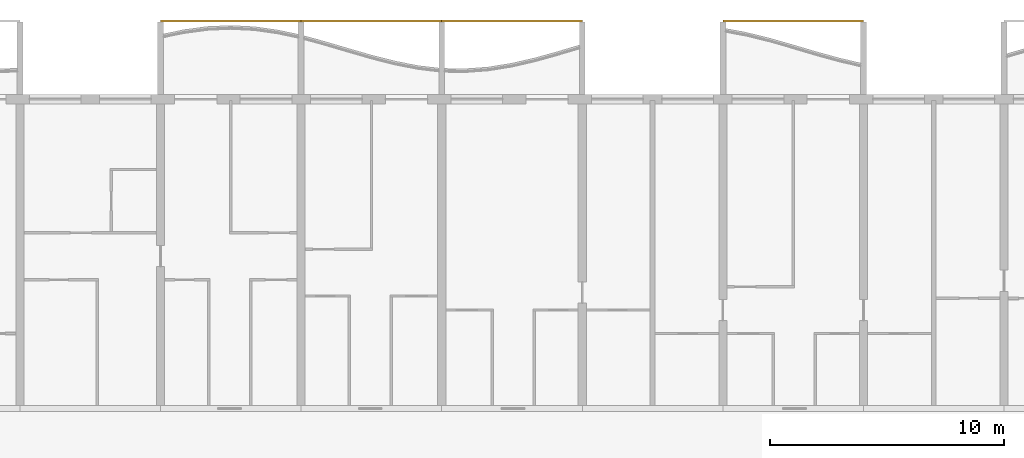
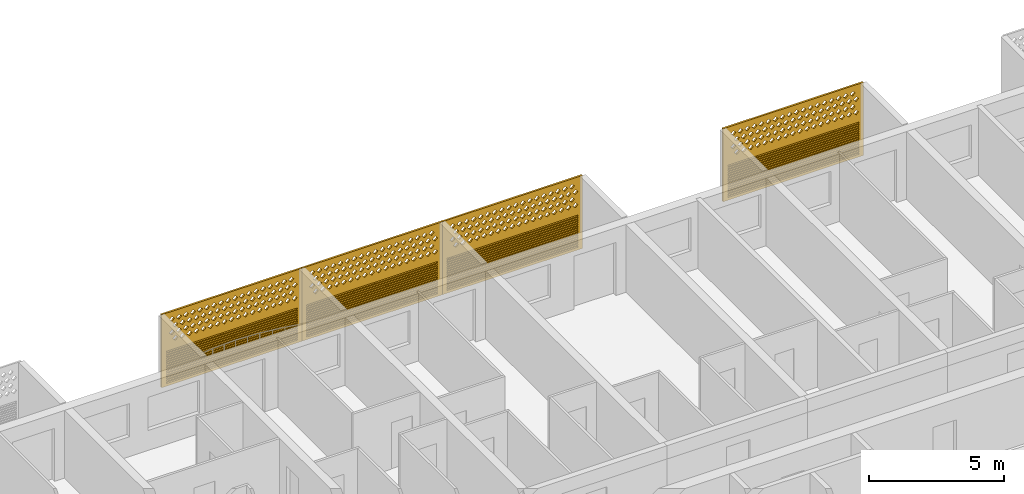
# One storey, part 23 of 26: 4 coverings.
"""IFC4 building model written with IfcOpenShell, lengths in metres."""

from ifc_helpers import new_model, si_unit, direction, frame, origin, place, context, subcontext, project, spatial, polyline, outline, extrude, source, transform, mapped, material, material_profile, profile_set, type_object, element, save


model = new_model("IFC4")

# Units and contexts
model_context = context("Model", 3, precision=1e-05, world=origin(), true_north=direction((0.0, 1.0)))
body_context = subcontext(model_context, "Body", "Model", "MODEL_VIEW")
ifc_project = project(units=[si_unit("LENGTHUNIT", "METRE"), si_unit("AREAUNIT", "SQUARE_METRE"), si_unit("VOLUMEUNIT", "CUBIC_METRE"), si_unit("PLANEANGLEUNIT", "RADIAN"), si_unit("MASSUNIT", "GRAM", prefix="KILO")], contexts=[model_context])

# Site, building, storey
site_placement = place(None, origin())
site = spatial("IfcSite", under=ifc_project, at=site_placement, CompositionType="ELEMENT")
building_placement = place(site_placement, origin())
building = spatial("IfcBuilding", under=site, at=building_placement, Name="Poui Terraces", CompositionType="ELEMENT")
storey_placement = place(building_placement, frame((0.0, 0.0, 79.5)))
storey = spatial("IfcBuildingStorey", under=building, at=storey_placement, Name="L21", CompositionType="ELEMENT", Elevation=79.5)

# Coverings
ifc_material = material(Name="Terracotta screen", Category="masonry")
ifc_material_profile = material_profile(ifc_material, outline(polyline([(-3.0, -1.64990234375), (3.0, -1.64990234375), (3.0, 1.64990234375), (-3.0, 1.64990234375), (-3.0, -1.64990234375)]), holes=[polyline([(-2.800048828125, 0.39990234375), (-2.68994140625, 0.2900390625), (-2.580078125, 0.39990234375), (-2.68994140625, 0.510009765625), (-2.800048828125, 0.39990234375)]), polyline([(-2.5, 0.39990234375), (-2.389892578125, 0.2900390625), (-2.280029296875, 0.39990234375), (-2.389892578125, 0.510009765625), (-2.5, 0.39990234375)]), polyline([(-2.199951171875, 0.39990234375), (-2.090087890625, 0.2900390625), (-1.97998046875, 0.39990234375), (-2.090087890625, 0.510009765625), (-2.199951171875, 0.39990234375)]), polyline([(-1.89990234375, 0.39990234375), (-1.7900390625, 0.2900390625), (-1.679931640625, 0.39990234375), (-1.7900390625, 0.510009765625), (-1.89990234375, 0.39990234375)]), polyline([(-1.60009765625, 0.39990234375), (-1.489990234375, 0.2900390625), (-1.3798828125, 0.39990234375), (-1.489990234375, 0.510009765625), (-1.60009765625, 0.39990234375)]), polyline([(-1.300048828125, 0.39990234375), (-1.18994140625, 0.2900390625), (-1.080078125, 0.39990234375), (-1.18994140625, 0.510009765625), (-1.300048828125, 0.39990234375)]), polyline([(-1.0, 0.39990234375), (-0.889892578125, 0.2900390625), (-0.780029296875, 0.39990234375), (-0.889892578125, 0.510009765625), (-1.0, 0.39990234375)]), polyline([(-0.699951171875, 0.39990234375), (-0.590087890625, 0.2900390625), (-0.47998046875, 0.39990234375), (-0.590087890625, 0.510009765625), (-0.699951171875, 0.39990234375)]), polyline([(-0.39990234375, 0.39990234375), (-0.2900390625, 0.2900390625), (-0.179931640625, 0.39990234375), (-0.2900390625, 0.510009765625), (-0.39990234375, 0.39990234375)]), polyline([(-0.10009765625, 0.39990234375), (0.010009765625, 0.2900390625), (0.1201171875, 0.39990234375), (0.010009765625, 0.510009765625), (-0.10009765625, 0.39990234375)]), polyline([(0.199951171875, 0.39990234375), (0.31005859375, 0.2900390625), (0.419921875, 0.39990234375), (0.31005859375, 0.510009765625), (0.199951171875, 0.39990234375)]), polyline([(0.5, 0.39990234375), (0.610107421875, 0.2900390625), (0.719970703125, 0.39990234375), (0.610107421875, 0.510009765625), (0.5, 0.39990234375)]), polyline([(0.800048828125, 0.39990234375), (0.909912109375, 0.2900390625), (1.02001953125, 0.39990234375), (0.909912109375, 0.510009765625), (0.800048828125, 0.39990234375)]), polyline([(1.10009765625, 0.39990234375), (1.2099609375, 0.2900390625), (1.320068359375, 0.39990234375), (1.2099609375, 0.510009765625), (1.10009765625, 0.39990234375)]), polyline([(1.39990234375, 0.39990234375), (1.510009765625, 0.2900390625), (1.6201171875, 0.39990234375), (1.510009765625, 0.510009765625), (1.39990234375, 0.39990234375)]), polyline([(1.699951171875, 0.39990234375), (1.81005859375, 0.2900390625), (1.919921875, 0.39990234375), (1.81005859375, 0.510009765625), (1.699951171875, 0.39990234375)]), polyline([(2.0, 0.39990234375), (2.110107421875, 0.2900390625), (2.219970703125, 0.39990234375), (2.110107421875, 0.510009765625), (2.0, 0.39990234375)]), polyline([(2.300048828125, 0.39990234375), (2.409912109375, 0.2900390625), (2.52001953125, 0.39990234375), (2.409912109375, 0.510009765625), (2.300048828125, 0.39990234375)]), polyline([(-2.64990234375, 0.699951171875), (-2.5400390625, 0.590087890625), (-2.429931640625, 0.699951171875), (-2.5400390625, 0.81005859375), (-2.64990234375, 0.699951171875)]), polyline([(-2.35009765625, 0.699951171875), (-2.239990234375, 0.590087890625), (-2.1298828125, 0.699951171875), (-2.239990234375, 0.81005859375), (-2.35009765625, 0.699951171875)]), polyline([(-2.050048828125, 0.699951171875), (-1.93994140625, 0.590087890625), (-1.830078125, 0.699951171875), (-1.93994140625, 0.81005859375), (-2.050048828125, 0.699951171875)]), polyline([(-1.75, 0.699951171875), (-1.639892578125, 0.590087890625), (-1.530029296875, 0.699951171875), (-1.639892578125, 0.81005859375), (-1.75, 0.699951171875)]), polyline([(-1.449951171875, 0.699951171875), (-1.340087890625, 0.590087890625), (-1.22998046875, 0.699951171875), (-1.340087890625, 0.81005859375), (-1.449951171875, 0.699951171875)]), polyline([(-1.14990234375, 0.699951171875), (-1.0400390625, 0.590087890625), (-0.929931640625, 0.699951171875), (-1.0400390625, 0.81005859375), (-1.14990234375, 0.699951171875)]), polyline([(-0.85009765625, 0.699951171875), (-0.739990234375, 0.590087890625), (-0.6298828125, 0.699951171875), (-0.739990234375, 0.81005859375), (-0.85009765625, 0.699951171875)]), polyline([(-0.550048828125, 0.699951171875), (-0.43994140625, 0.590087890625), (-0.330078125, 0.699951171875), (-0.43994140625, 0.81005859375), (-0.550048828125, 0.699951171875)]), polyline([(-0.25, 0.699951171875), (-0.139892578125, 0.590087890625), (-0.030029296875, 0.699951171875), (-0.139892578125, 0.81005859375), (-0.25, 0.699951171875)]), polyline([(0.050048828125, 0.699951171875), (0.159912109375, 0.590087890625), (0.27001953125, 0.699951171875), (0.159912109375, 0.81005859375), (0.050048828125, 0.699951171875)]), polyline([(0.35009765625, 0.699951171875), (0.4599609375, 0.590087890625), (0.570068359375, 0.699951171875), (0.4599609375, 0.81005859375), (0.35009765625, 0.699951171875)]), polyline([(0.64990234375, 0.699951171875), (0.760009765625, 0.590087890625), (0.8701171875, 0.699951171875), (0.760009765625, 0.81005859375), (0.64990234375, 0.699951171875)]), polyline([(0.949951171875, 0.699951171875), (1.06005859375, 0.590087890625), (1.169921875, 0.699951171875), (1.06005859375, 0.81005859375), (0.949951171875, 0.699951171875)]), polyline([(1.25, 0.699951171875), (1.360107421875, 0.590087890625), (1.469970703125, 0.699951171875), (1.360107421875, 0.81005859375), (1.25, 0.699951171875)]), polyline([(1.550048828125, 0.699951171875), (1.659912109375, 0.590087890625), (1.77001953125, 0.699951171875), (1.659912109375, 0.81005859375), (1.550048828125, 0.699951171875)]), polyline([(1.85009765625, 0.699951171875), (1.9599609375, 0.590087890625), (2.070068359375, 0.699951171875), (1.9599609375, 0.81005859375), (1.85009765625, 0.699951171875)]), polyline([(2.14990234375, 0.699951171875), (2.260009765625, 0.590087890625), (2.3701171875, 0.699951171875), (2.260009765625, 0.81005859375), (2.14990234375, 0.699951171875)]), polyline([(2.449951171875, 0.699951171875), (2.56005859375, 0.590087890625), (2.669921875, 0.699951171875), (2.56005859375, 0.81005859375), (2.449951171875, 0.699951171875)]), polyline([(-2.800048828125, 1.0), (-2.68994140625, 0.889892578125), (-2.580078125, 1.0), (-2.68994140625, 1.110107421875), (-2.800048828125, 1.0)]), polyline([(-2.5, 1.0), (-2.389892578125, 0.889892578125), (-2.280029296875, 1.0), (-2.389892578125, 1.110107421875), (-2.5, 1.0)]), polyline([(-2.199951171875, 1.0), (-2.090087890625, 0.889892578125), (-1.97998046875, 1.0), (-2.090087890625, 1.110107421875), (-2.199951171875, 1.0)]), polyline([(-1.89990234375, 1.0), (-1.7900390625, 0.889892578125), (-1.679931640625, 1.0), (-1.7900390625, 1.110107421875), (-1.89990234375, 1.0)]), polyline([(-1.60009765625, 1.0), (-1.489990234375, 0.889892578125), (-1.3798828125, 1.0), (-1.489990234375, 1.110107421875), (-1.60009765625, 1.0)]), polyline([(-1.300048828125, 1.0), (-1.18994140625, 0.889892578125), (-1.080078125, 1.0), (-1.18994140625, 1.110107421875), (-1.300048828125, 1.0)]), polyline([(-1.0, 1.0), (-0.889892578125, 0.889892578125), (-0.780029296875, 1.0), (-0.889892578125, 1.110107421875), (-1.0, 1.0)]), polyline([(-0.699951171875, 1.0), (-0.590087890625, 0.889892578125), (-0.47998046875, 1.0), (-0.590087890625, 1.110107421875), (-0.699951171875, 1.0)]), polyline([(-0.39990234375, 1.0), (-0.2900390625, 0.889892578125), (-0.179931640625, 1.0), (-0.2900390625, 1.110107421875), (-0.39990234375, 1.0)]), polyline([(-0.10009765625, 1.0), (0.010009765625, 0.889892578125), (0.1201171875, 1.0), (0.010009765625, 1.110107421875), (-0.10009765625, 1.0)]), polyline([(0.199951171875, 1.0), (0.31005859375, 0.889892578125), (0.419921875, 1.0), (0.31005859375, 1.110107421875), (0.199951171875, 1.0)]), polyline([(0.5, 1.0), (0.610107421875, 0.889892578125), (0.719970703125, 1.0), (0.610107421875, 1.110107421875), (0.5, 1.0)]), polyline([(0.800048828125, 1.0), (0.909912109375, 0.889892578125), (1.02001953125, 1.0), (0.909912109375, 1.110107421875), (0.800048828125, 1.0)]), polyline([(1.10009765625, 1.0), (1.2099609375, 0.889892578125), (1.320068359375, 1.0), (1.2099609375, 1.110107421875), (1.10009765625, 1.0)]), polyline([(1.39990234375, 1.0), (1.510009765625, 0.889892578125), (1.6201171875, 1.0), (1.510009765625, 1.110107421875), (1.39990234375, 1.0)]), polyline([(1.699951171875, 1.0), (1.81005859375, 0.889892578125), (1.919921875, 1.0), (1.81005859375, 1.110107421875), (1.699951171875, 1.0)]), polyline([(2.0, 1.0), (2.110107421875, 0.889892578125), (2.219970703125, 1.0), (2.110107421875, 1.110107421875), (2.0, 1.0)]), polyline([(2.300048828125, 1.0), (2.409912109375, 0.889892578125), (2.52001953125, 1.0), (2.409912109375, 1.110107421875), (2.300048828125, 1.0)]), polyline([(-2.64990234375, 1.300048828125), (-2.5400390625, 1.18994140625), (-2.429931640625, 1.300048828125), (-2.5400390625, 1.409912109375), (-2.64990234375, 1.300048828125)]), polyline([(-2.35009765625, 1.300048828125), (-2.239990234375, 1.18994140625), (-2.1298828125, 1.300048828125), (-2.239990234375, 1.409912109375), (-2.35009765625, 1.300048828125)]), polyline([(-2.050048828125, 1.300048828125), (-1.93994140625, 1.18994140625), (-1.830078125, 1.300048828125), (-1.93994140625, 1.409912109375), (-2.050048828125, 1.300048828125)]), polyline([(-1.75, 1.300048828125), (-1.639892578125, 1.18994140625), (-1.530029296875, 1.300048828125), (-1.639892578125, 1.409912109375), (-1.75, 1.300048828125)]), polyline([(-1.449951171875, 1.300048828125), (-1.340087890625, 1.18994140625), (-1.22998046875, 1.300048828125), (-1.340087890625, 1.409912109375), (-1.449951171875, 1.300048828125)]), polyline([(-1.14990234375, 1.300048828125), (-1.0400390625, 1.18994140625), (-0.929931640625, 1.300048828125), (-1.0400390625, 1.409912109375), (-1.14990234375, 1.300048828125)]), polyline([(-0.85009765625, 1.300048828125), (-0.739990234375, 1.18994140625), (-0.6298828125, 1.300048828125), (-0.739990234375, 1.409912109375), (-0.85009765625, 1.300048828125)]), polyline([(-0.550048828125, 1.300048828125), (-0.43994140625, 1.18994140625), (-0.330078125, 1.300048828125), (-0.43994140625, 1.409912109375), (-0.550048828125, 1.300048828125)]), polyline([(-0.25, 1.300048828125), (-0.139892578125, 1.18994140625), (-0.030029296875, 1.300048828125), (-0.139892578125, 1.409912109375), (-0.25, 1.300048828125)]), polyline([(0.050048828125, 1.300048828125), (0.159912109375, 1.18994140625), (0.27001953125, 1.300048828125), (0.159912109375, 1.409912109375), (0.050048828125, 1.300048828125)]), polyline([(0.35009765625, 1.300048828125), (0.4599609375, 1.18994140625), (0.570068359375, 1.300048828125), (0.4599609375, 1.409912109375), (0.35009765625, 1.300048828125)]), polyline([(0.64990234375, 1.300048828125), (0.760009765625, 1.18994140625), (0.8701171875, 1.300048828125), (0.760009765625, 1.409912109375), (0.64990234375, 1.300048828125)]), polyline([(0.949951171875, 1.300048828125), (1.06005859375, 1.18994140625), (1.169921875, 1.300048828125), (1.06005859375, 1.409912109375), (0.949951171875, 1.300048828125)]), polyline([(1.25, 1.300048828125), (1.360107421875, 1.18994140625), (1.469970703125, 1.300048828125), (1.360107421875, 1.409912109375), (1.25, 1.300048828125)]), polyline([(1.550048828125, 1.300048828125), (1.659912109375, 1.18994140625), (1.77001953125, 1.300048828125), (1.659912109375, 1.409912109375), (1.550048828125, 1.300048828125)]), polyline([(1.85009765625, 1.300048828125), (1.9599609375, 1.18994140625), (2.070068359375, 1.300048828125), (1.9599609375, 1.409912109375), (1.85009765625, 1.300048828125)]), polyline([(2.14990234375, 1.300048828125), (2.260009765625, 1.18994140625), (2.3701171875, 1.300048828125), (2.260009765625, 1.409912109375), (2.14990234375, 1.300048828125)]), polyline([(2.449951171875, 1.300048828125), (2.56005859375, 1.18994140625), (2.669921875, 1.300048828125), (2.56005859375, 1.409912109375), (2.449951171875, 1.300048828125)]), polyline([(-2.800048828125, -1.530029296875), (2.800048828125, -1.530029296875), (2.800048828125, -1.469970703125), (-2.800048828125, -1.469970703125), (-2.800048828125, -1.530029296875)]), polyline([(-2.800048828125, -1.429931640625), (2.800048828125, -1.429931640625), (2.800048828125, -1.3701171875), (-2.800048828125, -1.3701171875), (-2.800048828125, -1.429931640625)]), polyline([(-2.800048828125, -1.330078125), (2.800048828125, -1.330078125), (2.800048828125, -1.27001953125), (-2.800048828125, -1.27001953125), (-2.800048828125, -1.330078125)]), polyline([(-2.800048828125, -1.22998046875), (2.800048828125, -1.22998046875), (2.800048828125, -1.169921875), (-2.800048828125, -1.169921875), (-2.800048828125, -1.22998046875)]), polyline([(-2.800048828125, -1.1298828125), (2.800048828125, -1.1298828125), (2.800048828125, -1.070068359375), (-2.800048828125, -1.070068359375), (-2.800048828125, -1.1298828125)]), polyline([(-2.800048828125, -1.030029296875), (2.800048828125, -1.030029296875), (2.800048828125, -0.969970703125), (-2.800048828125, -0.969970703125), (-2.800048828125, -1.030029296875)]), polyline([(-2.800048828125, -0.929931640625), (2.800048828125, -0.929931640625), (2.800048828125, -0.8701171875), (-2.800048828125, -0.8701171875), (-2.800048828125, -0.929931640625)]), polyline([(-2.800048828125, -0.830078125), (2.800048828125, -0.830078125), (2.800048828125, -0.77001953125), (-2.800048828125, -0.77001953125), (-2.800048828125, -0.830078125)]), polyline([(-2.800048828125, -0.72998046875), (2.800048828125, -0.72998046875), (2.800048828125, -0.669921875), (-2.800048828125, -0.669921875), (-2.800048828125, -0.72998046875)]), polyline([(-2.800048828125, -0.6298828125), (2.800048828125, -0.6298828125), (2.800048828125, -0.570068359375), (-2.800048828125, -0.570068359375), (-2.800048828125, -0.6298828125)]), polyline([(-2.800048828125, -0.530029296875), (2.800048828125, -0.530029296875), (2.800048828125, -0.469970703125), (-2.800048828125, -0.469970703125), (-2.800048828125, -0.530029296875)]), polyline([(-2.800048828125, -0.429931640625), (2.800048828125, -0.429931640625), (2.800048828125, -0.3701171875), (-2.800048828125, -0.3701171875), (-2.800048828125, -0.429931640625)]), polyline([(-2.800048828125, -0.330078125), (2.800048828125, -0.330078125), (2.800048828125, -0.27001953125), (-2.800048828125, -0.27001953125), (-2.800048828125, -0.330078125)]), polyline([(-2.800048828125, -0.22998046875), (2.800048828125, -0.22998046875), (2.800048828125, -0.169921875), (-2.800048828125, -0.169921875), (-2.800048828125, -0.22998046875)]), polyline([(-2.800048828125, -0.1298828125), (2.800048828125, -0.1298828125), (2.800048828125, -0.070068359375), (-2.800048828125, -0.070068359375), (-2.800048828125, -0.1298828125)])]), Name="TERRACOTTA SCREEN AND JALOUSIE LOUVRE 6000X3300")
ifc_profile_set = profile_set([ifc_material_profile], Name="Terracotta screen")
covering_type = type_object("IfcCoveringType", Name="TERRACOTTA SCREEN AND JALOUSIE LOUVRE 6000X3300", PredefinedType="CLADDING", material=ifc_profile_set)
shared_shape = source(origin(), body_context, "Body", "SweptSolid", [
    extrude(outline(polyline([(-3.0, -1.64990234375), (3.0, -1.64990234375), (3.0, 1.64990234375), (-3.0, 1.64990234375), (-3.0, -1.64990234375)]), holes=[polyline([(-2.800048828125, 0.39990234375), (-2.68994140625, 0.2900390625), (-2.580078125, 0.39990234375), (-2.68994140625, 0.510009765625), (-2.800048828125, 0.39990234375)]), polyline([(-2.5, 0.39990234375), (-2.389892578125, 0.2900390625), (-2.280029296875, 0.39990234375), (-2.389892578125, 0.510009765625), (-2.5, 0.39990234375)]), polyline([(-2.199951171875, 0.39990234375), (-2.090087890625, 0.2900390625), (-1.97998046875, 0.39990234375), (-2.090087890625, 0.510009765625), (-2.199951171875, 0.39990234375)]), polyline([(-1.89990234375, 0.39990234375), (-1.7900390625, 0.2900390625), (-1.679931640625, 0.39990234375), (-1.7900390625, 0.510009765625), (-1.89990234375, 0.39990234375)]), polyline([(-1.60009765625, 0.39990234375), (-1.489990234375, 0.2900390625), (-1.3798828125, 0.39990234375), (-1.489990234375, 0.510009765625), (-1.60009765625, 0.39990234375)]), polyline([(-1.300048828125, 0.39990234375), (-1.18994140625, 0.2900390625), (-1.080078125, 0.39990234375), (-1.18994140625, 0.510009765625), (-1.300048828125, 0.39990234375)]), polyline([(-1.0, 0.39990234375), (-0.889892578125, 0.2900390625), (-0.780029296875, 0.39990234375), (-0.889892578125, 0.510009765625), (-1.0, 0.39990234375)]), polyline([(-0.699951171875, 0.39990234375), (-0.590087890625, 0.2900390625), (-0.47998046875, 0.39990234375), (-0.590087890625, 0.510009765625), (-0.699951171875, 0.39990234375)]), polyline([(-0.39990234375, 0.39990234375), (-0.2900390625, 0.2900390625), (-0.179931640625, 0.39990234375), (-0.2900390625, 0.510009765625), (-0.39990234375, 0.39990234375)]), polyline([(-0.10009765625, 0.39990234375), (0.010009765625, 0.2900390625), (0.1201171875, 0.39990234375), (0.010009765625, 0.510009765625), (-0.10009765625, 0.39990234375)]), polyline([(0.199951171875, 0.39990234375), (0.31005859375, 0.2900390625), (0.419921875, 0.39990234375), (0.31005859375, 0.510009765625), (0.199951171875, 0.39990234375)]), polyline([(0.5, 0.39990234375), (0.610107421875, 0.2900390625), (0.719970703125, 0.39990234375), (0.610107421875, 0.510009765625), (0.5, 0.39990234375)]), polyline([(0.800048828125, 0.39990234375), (0.909912109375, 0.2900390625), (1.02001953125, 0.39990234375), (0.909912109375, 0.510009765625), (0.800048828125, 0.39990234375)]), polyline([(1.10009765625, 0.39990234375), (1.2099609375, 0.2900390625), (1.320068359375, 0.39990234375), (1.2099609375, 0.510009765625), (1.10009765625, 0.39990234375)]), polyline([(1.39990234375, 0.39990234375), (1.510009765625, 0.2900390625), (1.6201171875, 0.39990234375), (1.510009765625, 0.510009765625), (1.39990234375, 0.39990234375)]), polyline([(1.699951171875, 0.39990234375), (1.81005859375, 0.2900390625), (1.919921875, 0.39990234375), (1.81005859375, 0.510009765625), (1.699951171875, 0.39990234375)]), polyline([(2.0, 0.39990234375), (2.110107421875, 0.2900390625), (2.219970703125, 0.39990234375), (2.110107421875, 0.510009765625), (2.0, 0.39990234375)]), polyline([(2.300048828125, 0.39990234375), (2.409912109375, 0.2900390625), (2.52001953125, 0.39990234375), (2.409912109375, 0.510009765625), (2.300048828125, 0.39990234375)]), polyline([(-2.64990234375, 0.699951171875), (-2.5400390625, 0.590087890625), (-2.429931640625, 0.699951171875), (-2.5400390625, 0.81005859375), (-2.64990234375, 0.699951171875)]), polyline([(-2.35009765625, 0.699951171875), (-2.239990234375, 0.590087890625), (-2.1298828125, 0.699951171875), (-2.239990234375, 0.81005859375), (-2.35009765625, 0.699951171875)]), polyline([(-2.050048828125, 0.699951171875), (-1.93994140625, 0.590087890625), (-1.830078125, 0.699951171875), (-1.93994140625, 0.81005859375), (-2.050048828125, 0.699951171875)]), polyline([(-1.75, 0.699951171875), (-1.639892578125, 0.590087890625), (-1.530029296875, 0.699951171875), (-1.639892578125, 0.81005859375), (-1.75, 0.699951171875)]), polyline([(-1.449951171875, 0.699951171875), (-1.340087890625, 0.590087890625), (-1.22998046875, 0.699951171875), (-1.340087890625, 0.81005859375), (-1.449951171875, 0.699951171875)]), polyline([(-1.14990234375, 0.699951171875), (-1.0400390625, 0.590087890625), (-0.929931640625, 0.699951171875), (-1.0400390625, 0.81005859375), (-1.14990234375, 0.699951171875)]), polyline([(-0.85009765625, 0.699951171875), (-0.739990234375, 0.590087890625), (-0.6298828125, 0.699951171875), (-0.739990234375, 0.81005859375), (-0.85009765625, 0.699951171875)]), polyline([(-0.550048828125, 0.699951171875), (-0.43994140625, 0.590087890625), (-0.330078125, 0.699951171875), (-0.43994140625, 0.81005859375), (-0.550048828125, 0.699951171875)]), polyline([(-0.25, 0.699951171875), (-0.139892578125, 0.590087890625), (-0.030029296875, 0.699951171875), (-0.139892578125, 0.81005859375), (-0.25, 0.699951171875)]), polyline([(0.050048828125, 0.699951171875), (0.159912109375, 0.590087890625), (0.27001953125, 0.699951171875), (0.159912109375, 0.81005859375), (0.050048828125, 0.699951171875)]), polyline([(0.35009765625, 0.699951171875), (0.4599609375, 0.590087890625), (0.570068359375, 0.699951171875), (0.4599609375, 0.81005859375), (0.35009765625, 0.699951171875)]), polyline([(0.64990234375, 0.699951171875), (0.760009765625, 0.590087890625), (0.8701171875, 0.699951171875), (0.760009765625, 0.81005859375), (0.64990234375, 0.699951171875)]), polyline([(0.949951171875, 0.699951171875), (1.06005859375, 0.590087890625), (1.169921875, 0.699951171875), (1.06005859375, 0.81005859375), (0.949951171875, 0.699951171875)]), polyline([(1.25, 0.699951171875), (1.360107421875, 0.590087890625), (1.469970703125, 0.699951171875), (1.360107421875, 0.81005859375), (1.25, 0.699951171875)]), polyline([(1.550048828125, 0.699951171875), (1.659912109375, 0.590087890625), (1.77001953125, 0.699951171875), (1.659912109375, 0.81005859375), (1.550048828125, 0.699951171875)]), polyline([(1.85009765625, 0.699951171875), (1.9599609375, 0.590087890625), (2.070068359375, 0.699951171875), (1.9599609375, 0.81005859375), (1.85009765625, 0.699951171875)]), polyline([(2.14990234375, 0.699951171875), (2.260009765625, 0.590087890625), (2.3701171875, 0.699951171875), (2.260009765625, 0.81005859375), (2.14990234375, 0.699951171875)]), polyline([(2.449951171875, 0.699951171875), (2.56005859375, 0.590087890625), (2.669921875, 0.699951171875), (2.56005859375, 0.81005859375), (2.449951171875, 0.699951171875)]), polyline([(-2.800048828125, 1.0), (-2.68994140625, 0.889892578125), (-2.580078125, 1.0), (-2.68994140625, 1.110107421875), (-2.800048828125, 1.0)]), polyline([(-2.5, 1.0), (-2.389892578125, 0.889892578125), (-2.280029296875, 1.0), (-2.389892578125, 1.110107421875), (-2.5, 1.0)]), polyline([(-2.199951171875, 1.0), (-2.090087890625, 0.889892578125), (-1.97998046875, 1.0), (-2.090087890625, 1.110107421875), (-2.199951171875, 1.0)]), polyline([(-1.89990234375, 1.0), (-1.7900390625, 0.889892578125), (-1.679931640625, 1.0), (-1.7900390625, 1.110107421875), (-1.89990234375, 1.0)]), polyline([(-1.60009765625, 1.0), (-1.489990234375, 0.889892578125), (-1.3798828125, 1.0), (-1.489990234375, 1.110107421875), (-1.60009765625, 1.0)]), polyline([(-1.300048828125, 1.0), (-1.18994140625, 0.889892578125), (-1.080078125, 1.0), (-1.18994140625, 1.110107421875), (-1.300048828125, 1.0)]), polyline([(-1.0, 1.0), (-0.889892578125, 0.889892578125), (-0.780029296875, 1.0), (-0.889892578125, 1.110107421875), (-1.0, 1.0)]), polyline([(-0.699951171875, 1.0), (-0.590087890625, 0.889892578125), (-0.47998046875, 1.0), (-0.590087890625, 1.110107421875), (-0.699951171875, 1.0)]), polyline([(-0.39990234375, 1.0), (-0.2900390625, 0.889892578125), (-0.179931640625, 1.0), (-0.2900390625, 1.110107421875), (-0.39990234375, 1.0)]), polyline([(-0.10009765625, 1.0), (0.010009765625, 0.889892578125), (0.1201171875, 1.0), (0.010009765625, 1.110107421875), (-0.10009765625, 1.0)]), polyline([(0.199951171875, 1.0), (0.31005859375, 0.889892578125), (0.419921875, 1.0), (0.31005859375, 1.110107421875), (0.199951171875, 1.0)]), polyline([(0.5, 1.0), (0.610107421875, 0.889892578125), (0.719970703125, 1.0), (0.610107421875, 1.110107421875), (0.5, 1.0)]), polyline([(0.800048828125, 1.0), (0.909912109375, 0.889892578125), (1.02001953125, 1.0), (0.909912109375, 1.110107421875), (0.800048828125, 1.0)]), polyline([(1.10009765625, 1.0), (1.2099609375, 0.889892578125), (1.320068359375, 1.0), (1.2099609375, 1.110107421875), (1.10009765625, 1.0)]), polyline([(1.39990234375, 1.0), (1.510009765625, 0.889892578125), (1.6201171875, 1.0), (1.510009765625, 1.110107421875), (1.39990234375, 1.0)]), polyline([(1.699951171875, 1.0), (1.81005859375, 0.889892578125), (1.919921875, 1.0), (1.81005859375, 1.110107421875), (1.699951171875, 1.0)]), polyline([(2.0, 1.0), (2.110107421875, 0.889892578125), (2.219970703125, 1.0), (2.110107421875, 1.110107421875), (2.0, 1.0)]), polyline([(2.300048828125, 1.0), (2.409912109375, 0.889892578125), (2.52001953125, 1.0), (2.409912109375, 1.110107421875), (2.300048828125, 1.0)]), polyline([(-2.64990234375, 1.300048828125), (-2.5400390625, 1.18994140625), (-2.429931640625, 1.300048828125), (-2.5400390625, 1.409912109375), (-2.64990234375, 1.300048828125)]), polyline([(-2.35009765625, 1.300048828125), (-2.239990234375, 1.18994140625), (-2.1298828125, 1.300048828125), (-2.239990234375, 1.409912109375), (-2.35009765625, 1.300048828125)]), polyline([(-2.050048828125, 1.300048828125), (-1.93994140625, 1.18994140625), (-1.830078125, 1.300048828125), (-1.93994140625, 1.409912109375), (-2.050048828125, 1.300048828125)]), polyline([(-1.75, 1.300048828125), (-1.639892578125, 1.18994140625), (-1.530029296875, 1.300048828125), (-1.639892578125, 1.409912109375), (-1.75, 1.300048828125)]), polyline([(-1.449951171875, 1.300048828125), (-1.340087890625, 1.18994140625), (-1.22998046875, 1.300048828125), (-1.340087890625, 1.409912109375), (-1.449951171875, 1.300048828125)]), polyline([(-1.14990234375, 1.300048828125), (-1.0400390625, 1.18994140625), (-0.929931640625, 1.300048828125), (-1.0400390625, 1.409912109375), (-1.14990234375, 1.300048828125)]), polyline([(-0.85009765625, 1.300048828125), (-0.739990234375, 1.18994140625), (-0.6298828125, 1.300048828125), (-0.739990234375, 1.409912109375), (-0.85009765625, 1.300048828125)]), polyline([(-0.550048828125, 1.300048828125), (-0.43994140625, 1.18994140625), (-0.330078125, 1.300048828125), (-0.43994140625, 1.409912109375), (-0.550048828125, 1.300048828125)]), polyline([(-0.25, 1.300048828125), (-0.139892578125, 1.18994140625), (-0.030029296875, 1.300048828125), (-0.139892578125, 1.409912109375), (-0.25, 1.300048828125)]), polyline([(0.050048828125, 1.300048828125), (0.159912109375, 1.18994140625), (0.27001953125, 1.300048828125), (0.159912109375, 1.409912109375), (0.050048828125, 1.300048828125)]), polyline([(0.35009765625, 1.300048828125), (0.4599609375, 1.18994140625), (0.570068359375, 1.300048828125), (0.4599609375, 1.409912109375), (0.35009765625, 1.300048828125)]), polyline([(0.64990234375, 1.300048828125), (0.760009765625, 1.18994140625), (0.8701171875, 1.300048828125), (0.760009765625, 1.409912109375), (0.64990234375, 1.300048828125)]), polyline([(0.949951171875, 1.300048828125), (1.06005859375, 1.18994140625), (1.169921875, 1.300048828125), (1.06005859375, 1.409912109375), (0.949951171875, 1.300048828125)]), polyline([(1.25, 1.300048828125), (1.360107421875, 1.18994140625), (1.469970703125, 1.300048828125), (1.360107421875, 1.409912109375), (1.25, 1.300048828125)]), polyline([(1.550048828125, 1.300048828125), (1.659912109375, 1.18994140625), (1.77001953125, 1.300048828125), (1.659912109375, 1.409912109375), (1.550048828125, 1.300048828125)]), polyline([(1.85009765625, 1.300048828125), (1.9599609375, 1.18994140625), (2.070068359375, 1.300048828125), (1.9599609375, 1.409912109375), (1.85009765625, 1.300048828125)]), polyline([(2.14990234375, 1.300048828125), (2.260009765625, 1.18994140625), (2.3701171875, 1.300048828125), (2.260009765625, 1.409912109375), (2.14990234375, 1.300048828125)]), polyline([(2.449951171875, 1.300048828125), (2.56005859375, 1.18994140625), (2.669921875, 1.300048828125), (2.56005859375, 1.409912109375), (2.449951171875, 1.300048828125)]), polyline([(-2.800048828125, -1.530029296875), (2.800048828125, -1.530029296875), (2.800048828125, -1.469970703125), (-2.800048828125, -1.469970703125), (-2.800048828125, -1.530029296875)]), polyline([(-2.800048828125, -1.429931640625), (2.800048828125, -1.429931640625), (2.800048828125, -1.3701171875), (-2.800048828125, -1.3701171875), (-2.800048828125, -1.429931640625)]), polyline([(-2.800048828125, -1.330078125), (2.800048828125, -1.330078125), (2.800048828125, -1.27001953125), (-2.800048828125, -1.27001953125), (-2.800048828125, -1.330078125)]), polyline([(-2.800048828125, -1.22998046875), (2.800048828125, -1.22998046875), (2.800048828125, -1.169921875), (-2.800048828125, -1.169921875), (-2.800048828125, -1.22998046875)]), polyline([(-2.800048828125, -1.1298828125), (2.800048828125, -1.1298828125), (2.800048828125, -1.070068359375), (-2.800048828125, -1.070068359375), (-2.800048828125, -1.1298828125)]), polyline([(-2.800048828125, -1.030029296875), (2.800048828125, -1.030029296875), (2.800048828125, -0.969970703125), (-2.800048828125, -0.969970703125), (-2.800048828125, -1.030029296875)]), polyline([(-2.800048828125, -0.929931640625), (2.800048828125, -0.929931640625), (2.800048828125, -0.8701171875), (-2.800048828125, -0.8701171875), (-2.800048828125, -0.929931640625)]), polyline([(-2.800048828125, -0.830078125), (2.800048828125, -0.830078125), (2.800048828125, -0.77001953125), (-2.800048828125, -0.77001953125), (-2.800048828125, -0.830078125)]), polyline([(-2.800048828125, -0.72998046875), (2.800048828125, -0.72998046875), (2.800048828125, -0.669921875), (-2.800048828125, -0.669921875), (-2.800048828125, -0.72998046875)]), polyline([(-2.800048828125, -0.6298828125), (2.800048828125, -0.6298828125), (2.800048828125, -0.570068359375), (-2.800048828125, -0.570068359375), (-2.800048828125, -0.6298828125)]), polyline([(-2.800048828125, -0.530029296875), (2.800048828125, -0.530029296875), (2.800048828125, -0.469970703125), (-2.800048828125, -0.469970703125), (-2.800048828125, -0.530029296875)]), polyline([(-2.800048828125, -0.429931640625), (2.800048828125, -0.429931640625), (2.800048828125, -0.3701171875), (-2.800048828125, -0.3701171875), (-2.800048828125, -0.429931640625)]), polyline([(-2.800048828125, -0.330078125), (2.800048828125, -0.330078125), (2.800048828125, -0.27001953125), (-2.800048828125, -0.27001953125), (-2.800048828125, -0.330078125)]), polyline([(-2.800048828125, -0.22998046875), (2.800048828125, -0.22998046875), (2.800048828125, -0.169921875), (-2.800048828125, -0.169921875), (-2.800048828125, -0.22998046875)]), polyline([(-2.800048828125, -0.1298828125), (2.800048828125, -0.1298828125), (2.800048828125, -0.070068359375), (-2.800048828125, -0.070068359375), (-2.800048828125, -0.1298828125)])]), origin(), (0.0, 0.0, 1.0), 0.080078125),
])
for number, where, z_axis, x_axis, name in (
    (1, (45.0, 46.89990234375, 1.449951171875), (0.0, 1.0, 0.0), (-1.0, 0.0, 0.0), "SOLAR SCREEN AND JALOUSIE LOUVRE"),
    (2, (51.0, 46.89990234375, 1.449951171875), (0.0, 1.0, 0.0), (-1.0, 0.0, 0.0), "SOLAR SCREEN AND JALOUSIE LOUVRE"),
    (3, (57.0, 46.89990234375, 1.449951171875), (0.0, 1.0, 0.0), (-1.0, 0.0, 0.0), "SOLAR SCREEN AND JALOUSIE LOUVRE"),
    (4, (69.0, 46.89990234375, 1.449951171875), (0.0, 1.0, 0.0), (-1.0, 0.0, 0.0), "SOLAR SCREEN AND JALOUSIE LOUVRE"),
):
    element("IfcCovering", number, at=place(storey_placement, frame(where, z_axis=z_axis, x_axis=x_axis)), inside=storey, type_object=covering_type, Name=name, PredefinedType="CLADDING", context=body_context, shape_type="MappedRepresentation", body=[
        mapped(shared_shape, transform((0.0, 0.0, 0.0))),
    ])

save(model, "model.ifc")
